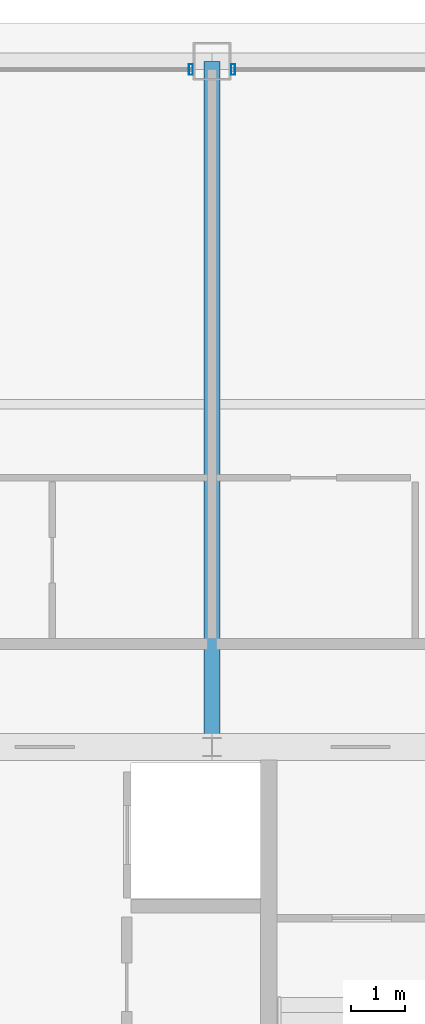
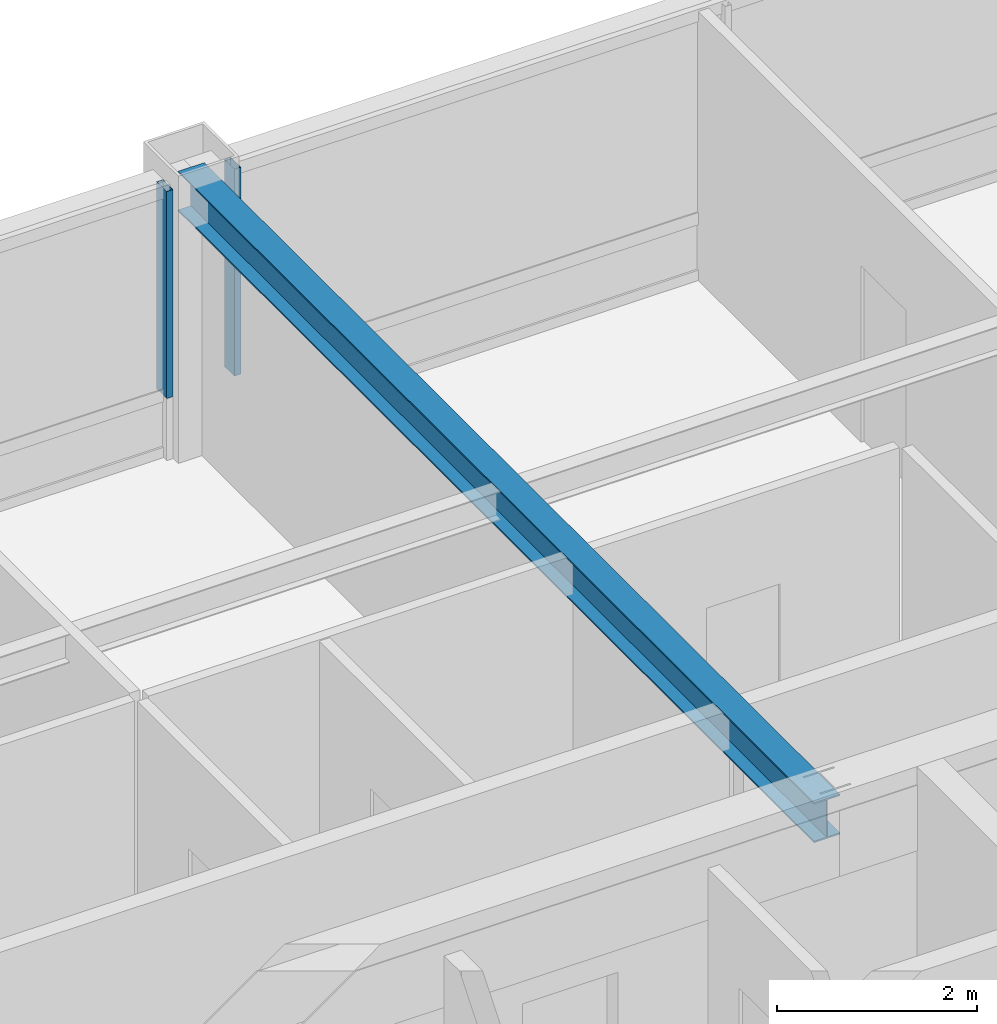
# One storey, part 18 of 35: 2 members, 1 beam, 2 elements without a shape of their own.
"""IFC4 building model written with IfcOpenShell, lengths in metres."""

from ifc_helpers import new_model, si_unit, direction, frame, origin, origin_2d, place, context, subcontext, project, spatial, hollow_rectangle, i_section, extrude, source, transform, mapped, material, layer, layer_set, material_profile, profile_set, type_object, element, aggregate, save


model = new_model("IFC4")

# Units and contexts
model_context = context("Model", 3, precision=1e-05, world=origin(), true_north=direction((0.0, 1.0)))
body_context = subcontext(model_context, "Body", "Model", "MODEL_VIEW")
ifc_project = project(units=[si_unit("LENGTHUNIT", "METRE"), si_unit("AREAUNIT", "SQUARE_METRE"), si_unit("VOLUMEUNIT", "CUBIC_METRE"), si_unit("PLANEANGLEUNIT", "RADIAN"), si_unit("MASSUNIT", "GRAM", prefix="KILO"), si_unit("THERMODYNAMICTEMPERATUREUNIT", "KELVIN"), si_unit("POWERUNIT", "WATT")], contexts=[model_context])

# Site, building, storey
site_placement = place(None, origin())
site = spatial("IfcSite", under=ifc_project, at=site_placement, CompositionType="ELEMENT")
building_placement = place(site_placement, origin())
building = spatial("IfcBuilding", under=site, at=building_placement, Name="Yuzanri Waterfront Tower", CompositionType="ELEMENT")
storey_placement = place(building_placement, frame((0.0, 0.0, 311.199951171875)))
storey = spatial("IfcBuildingStorey", under=building, at=storey_placement, Name="L83", CompositionType="ELEMENT", Elevation=311.199951171875)

# Beam
ifc_material_1 = material(Name="Steel Q355B", Category="steel")
ifc_material_profile_1 = material_profile(ifc_material_1, i_section(OverallWidth=0.300048828125, OverallDepth=0.488037109375, WebThickness=0.010986328125, FlangeThickness=0.01806640625, at=origin_2d()), Name="HM 488x300x11x18")
ifc_profile_set_1 = profile_set([ifc_material_profile_1], Name="Steel Q355B")
beam_type = type_object("IfcBeamType", Name="Primary Floor Girder Q355B HM 488x300", PredefinedType="BEAM", material=ifc_profile_set_1)
shared_shape_1 = source(origin(), body_context, "Body", "SweptSolid", [
    extrude(i_section(OverallWidth=0.300048828125, OverallDepth=0.488037109375, WebThickness=0.010986328125, FlangeThickness=0.01806640625, at=origin_2d()), origin(), (0.0, 0.0, 1.0), 12.699951171875),
])
beam_placement = place(storey_placement, frame((37.0, 32.199951171875, 3.0361328125), z_axis=(0.0, 1.0, 0.0), x_axis=(-1.0, 0.0, 0.0)))
element("IfcBeam", 1, at=beam_placement, inside=storey, type_object=beam_type, Name="L83 North Grid Girder", PredefinedType="BEAM", context=body_context, shape_type="MappedRepresentation", body=[
    mapped(shared_shape_1, transform((0.0, 0.0, 0.0), scale=1.0)),
])

# Curtain wall, member
ifc_material_2 = material(Name="Anodized Architectural Bronze", Category="metal")
ifc_layer = layer(ifc_material_2, 0.159912109375)
ifc_layer_set = layer_set([ifc_layer], Name="Anodized Architectural Bronze")
curtain_wall_type = type_object("IfcCurtainWallType", Name="Anodized Bronze High-Rise Penthouse High-Wind Unitized Curtain Wall 6900", PredefinedType="NOTDEFINED", material=ifc_layer_set)
curtain_wall_1_placement = place(storey_placement, origin())
curtain_wall_1 = element("IfcCurtainWall", 2, at=curtain_wall_1_placement, inside=storey, type_object=curtain_wall_type, Name="L83 Curtain Wall CW-L83-NL", PredefinedType="NOTDEFINED")
ifc_material_3 = material(Name="Anodized Architectural Bronze", Category="metal")
ifc_material_profile_2 = material_profile(ifc_material_3, hollow_rectangle(XDim=0.074951171875, YDim=0.199951171875, WallThickness=0.00390625, at=origin_2d()), Name="CWM 75x200")
ifc_profile_set_2 = profile_set([ifc_material_profile_2], Name="Anodized Architectural Bronze")
member_type = type_object("IfcMemberType", Name="Anodized Bronze Primary Curtain-Wall Mullion 75x200", PredefinedType="MULLION", material=ifc_profile_set_2)
shared_shape_2 = source(origin(), body_context, "Body", "SweptSolid", [
    extrude(hollow_rectangle(XDim=0.074951171875, YDim=0.199951171875, WallThickness=0.00390625, at=origin_2d()), origin(), (0.0, 0.0, 1.0), 2.52392578125),
])
member_1_placement = place(storey_placement, frame((36.610107421875, 44.75, 0.756103515625), z_axis=(0.0, 0.0, 1.0), x_axis=(1.0, 0.0, 0.0)))
member_1 = element("IfcMember", 3, at=member_1_placement, type_object=member_type, Name="CW-L83-NL Upper Mullion 02", PredefinedType="MULLION", context=body_context, shape_type="MappedRepresentation", body=[
    mapped(shared_shape_2, transform((0.0, 0.0, 0.0), scale=1.0)),
])
aggregate(curtain_wall_1, [member_1])

curtain_wall_2_placement = place(storey_placement, origin())
curtain_wall_2 = element("IfcCurtainWall", 4, at=curtain_wall_2_placement, inside=storey, type_object=curtain_wall_type, Name="L83 Curtain Wall CW-L83-NR", PredefinedType="NOTDEFINED")
member_2_placement = place(storey_placement, frame((37.389892578125, 44.75, 0.756103515625), z_axis=(0.0, 0.0, 1.0), x_axis=(1.0, 0.0, 0.0)))
member_2 = element("IfcMember", 5, at=member_2_placement, type_object=member_type, Name="CW-L83-NR Upper Mullion 00", PredefinedType="MULLION", context=body_context, shape_type="MappedRepresentation", body=[
    mapped(shared_shape_2, transform((0.0, 0.0, 0.0), scale=1.0)),
])
aggregate(curtain_wall_2, [member_2])

save(model, "model.ifc")
